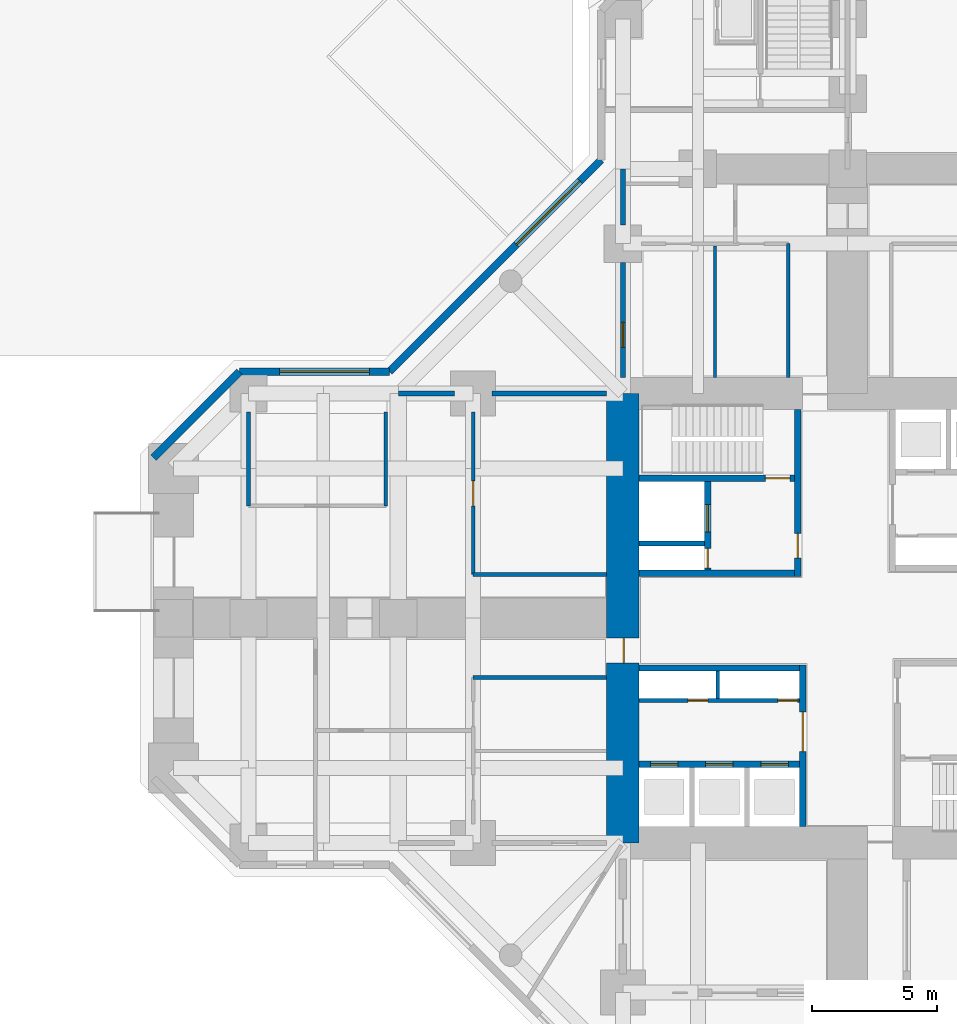
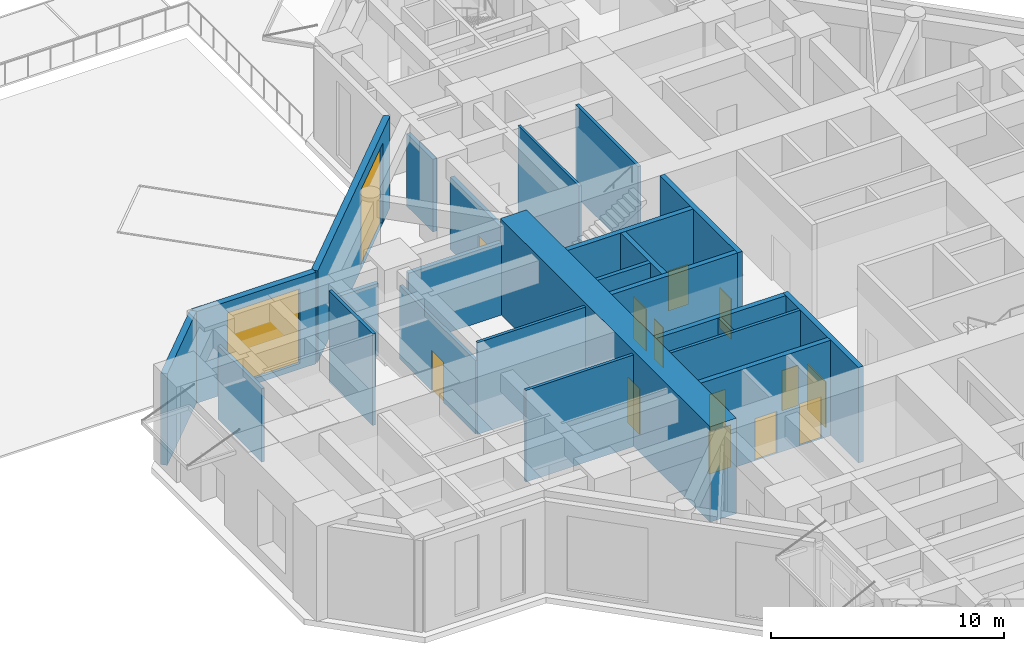
# One storey, part 6 of 14: 25 walls, 14 doors, 1 window, 15 openings.
"""IFC4 building model written with IfcOpenShell, lengths in metres."""

from ifc_helpers import new_model, si_unit, direction, frame, frame_2d, origin, place, context, subcontext, project, spatial, rectangle, hollow_rectangle, extrude, material, layer, layer_set, constituent, constituent_set, type_object, element, fill, save


model = new_model("IFC4")

# Units and contexts
model_context = context("Model", 3, precision=1e-05, world=origin(), true_north=direction((0.0, 1.0)))
body_context = subcontext(model_context, "Body", "Model", "MODEL_VIEW")
ifc_project = project(units=[si_unit("LENGTHUNIT", "METRE"), si_unit("AREAUNIT", "SQUARE_METRE"), si_unit("VOLUMEUNIT", "CUBIC_METRE"), si_unit("PLANEANGLEUNIT", "RADIAN"), si_unit("MASSUNIT", "GRAM", prefix="KILO")], contexts=[model_context])

# Site, building, storey
site_placement = place(None, origin())
site = spatial("IfcSite", under=ifc_project, at=site_placement, CompositionType="ELEMENT")
building_placement = place(site_placement, origin())
building = spatial("IfcBuilding", under=site, at=building_placement, Name="Torre Cruceta", CompositionType="ELEMENT")
storey_placement = place(building_placement, origin())
storey = spatial("IfcBuildingStorey", under=building, at=storey_placement, Name="L00", CompositionType="ELEMENT", Elevation=0.0)

# Wall, opening, door
ifc_material_1 = material(Name="Concrete G60 (fck 60 MPa)", Category="concrete")
ifc_layer_1 = layer(ifc_material_1, 0.25)
ifc_layer_set_1 = layer_set([ifc_layer_1], Name="Concrete G60 (fck 60 MPa)")
wall_type_1 = type_object("IfcWallType", Name="CORE INNER WALL 250 G60", PredefinedType="SHEAR", material=ifc_layer_set_1)
wall_1_placement = place(storey_placement, frame((-2.0, 1.675048828125, 0.0), z_axis=(0.0, 0.0, 1.0), x_axis=(0.0, 1.0, 0.0)))
wall_1 = element("IfcWall", 1, at=wall_1_placement, inside=storey, type_object=wall_type_1, Name="CW4 L00 NW-CU", PredefinedType="SHEAR", context=body_context, shape_type="SweptSolid", body=[
    extrude(rectangle(XDim=6.675048828125, YDim=0.25, at=frame_2d((3.33740234375, 0.0))), origin(), (0.0, 0.0, 1.0), 5.0),
])
opening_1_placement = place(wall_1_placement, frame((0.72509765625, 0.0, 0.0)))
opening_1 = element("IfcOpeningElement", 2, at=opening_1_placement, cuts=wall_1, Name="Opening D3", PredefinedType="OPENING", context=body_context, shape_type="SweptSolid", body=[
    extrude(rectangle(XDim=1.0, YDim=2.10009765625, at=frame_2d((0.5, 1.050048828125))), frame((0.0, 0.135009765625, 0.0), z_axis=(0.0, -1.0, 0.0), x_axis=(1.0, 0.0, 0.0)), (0.0, 0.0, 1.0), 0.27001953125),
])
ifc_material_2 = material(Name="Steel DX51D", Category="steel")
ifc_constituent_1 = constituent(ifc_material_2, Name="Leaf and frame")
ifc_material_3 = material(Name="Polyester powder coating", Category="paint")
ifc_constituent_2 = constituent(ifc_material_3, Name="Finish")
ifc_constituent_set_1 = constituent_set(constituents=[ifc_constituent_1, ifc_constituent_2], Name="Steel fire door")
door_type_1 = type_object("IfcDoorType", Name="FIRE DOOR 1000X2100", OperationType="SINGLE_SWING_LEFT", PredefinedType="DOOR", material=ifc_constituent_set_1)
door_1_placement = place(opening_1_placement, origin())
door_1 = element("IfcDoor", 3, at=door_1_placement, inside=storey, type_object=door_type_1, Name="D3 L00 NW-LOBBY", OperationType="SINGLE_SWING_LEFT", OverallHeight=2.10009765625, OverallWidth=1.0, PredefinedType="DOOR", context=body_context, shape_type="SweptSolid", body=[
    extrude(rectangle(XDim=1.0, YDim=2.10009765625, at=frame_2d((0.5, 1.050048828125))), frame((0.0, 0.02490234375, 0.0), z_axis=(0.0, -1.0, 0.0), x_axis=(1.0, 0.0, 0.0)), (0.0, 0.0, 1.0), 0.050048828125),
])
fill(opening_1, door_1)

# Wall
wall_2_placement = place(storey_placement, frame((-2.125, 1.800048828125, 0.0), z_axis=(0.0, 0.0, 1.0), x_axis=(-1.0, 0.0, 0.0)))
element("IfcWall", 4, at=wall_2_placement, inside=storey, type_object=wall_type_1, Name="CW4 L00 NW-CV", PredefinedType="SHEAR", context=body_context, shape_type="SweptSolid", body=[
    extrude(rectangle(XDim=6.22509765625, YDim=0.25, at=frame_2d((3.112548828125, 0.0))), origin(), (0.0, 0.0, 1.0), 5.0),
])

# Wall, opening, door
wall_3_placement = place(storey_placement, frame((-2.125, 5.60009765625, 0.0), z_axis=(0.0, 0.0, 1.0), x_axis=(-1.0, 0.0, 0.0)))
wall_3 = element("IfcWall", 5, at=wall_3_placement, inside=storey, type_object=wall_type_1, Name="CW4 L00 NW-SV", PredefinedType="SHEAR", context=body_context, shape_type="SweptSolid", body=[
    extrude(rectangle(XDim=6.22509765625, YDim=0.25, at=frame_2d((3.112548828125, 0.0))), origin(), (0.0, 0.0, 1.0), 5.0),
])
opening_2_placement = place(wall_3_placement, frame((0.175048828125, 0.0, 0.0)))
opening_2 = element("IfcOpeningElement", 6, at=opening_2_placement, cuts=wall_3, Name="Opening D3", PredefinedType="OPENING", context=body_context, shape_type="SweptSolid", body=[
    extrude(rectangle(XDim=1.0, YDim=2.10009765625, at=frame_2d((0.5, 1.050048828125))), frame((0.0, 0.135009765625, 0.0), z_axis=(0.0, -1.0, 0.0), x_axis=(1.0, 0.0, 0.0)), (0.0, 0.0, 1.0), 0.27001953125),
])
door_2_placement = place(opening_2_placement, frame((1.0, 0.0, 0.0), z_axis=(0.0, 0.0, 1.0), x_axis=(-1.0, 0.0, 0.0)))
door_2 = element("IfcDoor", 7, at=door_2_placement, inside=storey, type_object=door_type_1, Name="D3 L00 NW-STAIR", OperationType="SINGLE_SWING_RIGHT", OverallHeight=2.10009765625, OverallWidth=1.0, PredefinedType="DOOR", context=body_context, shape_type="SweptSolid", body=[
    extrude(rectangle(XDim=1.0, YDim=2.10009765625, at=frame_2d((0.5, 1.050048828125))), frame((0.0, 0.025146484375, 0.0), z_axis=(0.0, -1.0, 0.0), x_axis=(1.0, 0.0, 0.0)), (0.0, 0.0, 1.0), 0.050048828125),
])
fill(opening_2, door_2)

# Wall, openings, doors
wall_4_placement = place(storey_placement, frame((-5.60009765625, 1.925048828125, 0.0), z_axis=(0.0, 0.0, 1.0), x_axis=(0.0, 1.0, 0.0)))
wall_4 = element("IfcWall", 8, at=wall_4_placement, inside=storey, type_object=wall_type_1, Name="CW4 L00 NW-FU", PredefinedType="SHEAR", context=body_context, shape_type="SweptSolid", body=[
    extrude(rectangle(XDim=3.550048828125, YDim=0.25, at=frame_2d((1.77490234375, 0.0))), origin(), (0.0, 0.0, 1.0), 5.0),
])
opening_3_placement = place(wall_4_placement, frame((1.52490234375, 0.0, 0.0)))
opening_3 = element("IfcOpeningElement", 9, at=opening_3_placement, cuts=wall_4, Name="Opening LD1", PredefinedType="OPENING", context=body_context, shape_type="SweptSolid", body=[
    extrude(rectangle(XDim=1.10009765625, YDim=2.199951171875, at=frame_2d((0.550048828125, 1.10009765625))), frame((0.0, 0.135009765625, 0.0), z_axis=(0.0, -1.0, 0.0), x_axis=(1.0, 0.0, 0.0)), (0.0, 0.0, 1.0), 0.27001953125),
])
opening_4_placement = place(wall_4_placement, frame((0.074951171875, 0.0, 0.0)))
opening_4 = element("IfcOpeningElement", 10, at=opening_4_placement, cuts=wall_4, Name="Opening D5", PredefinedType="OPENING", context=body_context, shape_type="SweptSolid", body=[
    extrude(rectangle(XDim=0.800048828125, YDim=2.10009765625, at=frame_2d((0.39990234375, 1.050048828125))), frame((0.0, 0.135009765625, 0.0), z_axis=(0.0, -1.0, 0.0), x_axis=(1.0, 0.0, 0.0)), (0.0, 0.0, 1.0), 0.27001953125),
])
ifc_material_4 = material(Name="Stainless steel 1.4401", Category="steel")
door_type_2 = type_object("IfcDoorType", Name="LIFT LANDING DOOR 1100X2200", OperationType="DOUBLE_DOOR_SLIDING", PredefinedType="DOOR", material=ifc_material_4)
door_3_placement = place(opening_3_placement, origin())
door_3 = element("IfcDoor", 11, at=door_3_placement, inside=storey, type_object=door_type_2, Name="Lift landing door FL1", OperationType="DOUBLE_DOOR_SLIDING", OverallHeight=2.199951171875, OverallWidth=1.10009765625, PredefinedType="DOOR", context=body_context, shape_type="SweptSolid", body=[
    extrude(rectangle(XDim=1.10009765625, YDim=2.199951171875, at=frame_2d((0.550048828125, 1.10009765625))), frame((0.0, 0.02490234375, 0.0), z_axis=(0.0, -1.0, 0.0), x_axis=(1.0, 0.0, 0.0)), (0.0, 0.0, 1.0), 0.050048828125),
])
fill(opening_3, door_3)
ifc_material_5 = material(Name="Steel DX51D", Category="steel")
ifc_constituent_3 = constituent(ifc_material_5, Name="Leaf and frame")
ifc_material_6 = material(Name="Polyester powder coating", Category="paint")
ifc_constituent_4 = constituent(ifc_material_6, Name="Finish")
ifc_constituent_set_2 = constituent_set(constituents=[ifc_constituent_3, ifc_constituent_4], Name="Steel fire door")
door_type_3 = type_object("IfcDoorType", Name="RISER ACCESS DOOR 800X2100", OperationType="SINGLE_SWING_LEFT", PredefinedType="DOOR", material=ifc_constituent_set_2)
door_4_placement = place(opening_4_placement, origin())
door_4 = element("IfcDoor", 12, at=door_4_placement, inside=storey, type_object=door_type_3, Name="D5 L00 NW-RISER", OperationType="SINGLE_SWING_LEFT", OverallHeight=2.10009765625, OverallWidth=0.800048828125, PredefinedType="DOOR", context=body_context, shape_type="SweptSolid", body=[
    extrude(rectangle(XDim=0.800048828125, YDim=2.10009765625, at=frame_2d((0.39990234375, 1.050048828125))), frame((0.0, 0.02490234375, 0.0), z_axis=(0.0, -1.0, 0.0), x_axis=(1.0, 0.0, 0.0)), (0.0, 0.0, 1.0), 0.050048828125),
])
fill(opening_4, door_4)

# Wall, opening, door
wall_5_placement = place(storey_placement, frame((-1.800048828125, -1.875, 0.0), z_axis=(0.0, 0.0, 1.0), x_axis=(0.0, -1.0, 0.0)))
wall_5 = element("IfcWall", 13, at=wall_5_placement, inside=storey, type_object=wall_type_1, Name="CW4 L00 SW-CU", PredefinedType="SHEAR", context=body_context, shape_type="SweptSolid", body=[
    extrude(rectangle(XDim=6.47509765625, YDim=0.25, at=frame_2d((3.237548828125, 0.0))), origin(), (0.0, 0.0, 1.0), 5.0),
])
opening_5_placement = place(wall_5_placement, frame((1.875, 0.0, 0.0)))
opening_5 = element("IfcOpeningElement", 14, at=opening_5_placement, cuts=wall_5, Name="Opening D8", PredefinedType="OPENING", context=body_context, shape_type="SweptSolid", body=[
    extrude(rectangle(XDim=1.60009765625, YDim=2.39990234375, at=frame_2d((0.800048828125, 1.199951171875))), frame((0.0, 0.135009765625, 0.0), z_axis=(0.0, -1.0, 0.0), x_axis=(1.0, 0.0, 0.0)), (0.0, 0.0, 1.0), 0.27001953125),
])
ifc_material_7 = material(Name="Steel DX51D", Category="steel")
ifc_constituent_5 = constituent(ifc_material_7, Name="Leaf and frame")
ifc_material_8 = material(Name="Polyester powder coating", Category="paint")
ifc_constituent_6 = constituent(ifc_material_8, Name="Finish")
ifc_material_9 = material(Name="Fire-resisting glass", Category="glass")
ifc_constituent_7 = constituent(ifc_material_9, Name="Vision panel")
ifc_constituent_set_3 = constituent_set(constituents=[ifc_constituent_5, ifc_constituent_6, ifc_constituent_7], Name="Steel fire door with vision panels")
door_type_4 = type_object("IfcDoorType", Name="LIFT LOBBY DOUBLE DOOR 1600X2400", OperationType="DOUBLE_DOOR_DOUBLE_SWING", PredefinedType="DOOR", material=ifc_constituent_set_3)
door_5_placement = place(opening_5_placement, origin())
door_5 = element("IfcDoor", 15, at=door_5_placement, inside=storey, type_object=door_type_4, Name="D8 L00 SW-LOBBY", OperationType="DOUBLE_DOOR_DOUBLE_SWING", OverallHeight=2.39990234375, OverallWidth=1.60009765625, PredefinedType="DOOR", context=body_context, shape_type="SweptSolid", body=[
    extrude(rectangle(XDim=1.60009765625, YDim=2.39990234375, at=frame_2d((0.800048828125, 1.199951171875))), frame((0.0, 0.02490234375, 0.0), z_axis=(0.0, -1.0, 0.0), x_axis=(1.0, 0.0, 0.0)), (0.0, 0.0, 1.0), 0.050048828125),
])
fill(opening_5, door_5)

# Wall
wall_6_placement = place(storey_placement, frame((-1.925048828125, -2.0, 0.0), z_axis=(0.0, 0.0, 1.0), x_axis=(-1.0, 0.0, 0.0)))
element("IfcWall", 16, at=wall_6_placement, inside=storey, type_object=wall_type_1, Name="CW4 L00 SW-CV", PredefinedType="SHEAR", context=body_context, shape_type="SweptSolid", body=[
    extrude(rectangle(XDim=6.425048828125, YDim=0.25, at=frame_2d((3.21240234375, 0.0))), origin(), (0.0, 0.0, 1.0), 5.0),
])

# Wall, openings, doors
wall_7_placement = place(storey_placement, frame((-1.925048828125, -5.85009765625, 0.0), z_axis=(0.0, 0.0, 1.0), x_axis=(-1.0, 0.0, 0.0)))
wall_7 = element("IfcWall", 17, at=wall_7_placement, inside=storey, type_object=wall_type_1, Name="CW4 L00 SW-LV", PredefinedType="SHEAR", context=body_context, shape_type="SweptSolid", body=[
    extrude(rectangle(XDim=6.425048828125, YDim=0.25, at=frame_2d((3.21240234375, 0.0))), origin(), (0.0, 0.0, 1.0), 5.0),
])
opening_6_placement = place(wall_7_placement, frame((0.4541015625, 0.0, 0.0)))
opening_6 = element("IfcOpeningElement", 18, at=opening_6_placement, cuts=wall_7, Name="Opening LD1", PredefinedType="OPENING", context=body_context, shape_type="SweptSolid", body=[
    extrude(rectangle(XDim=1.10009765625, YDim=2.199951171875, at=frame_2d((0.550048828125, 1.10009765625))), frame((0.0, 0.135009765625, 0.0), z_axis=(0.0, -1.0, 0.0), x_axis=(1.0, 0.0, 0.0)), (0.0, 0.0, 1.0), 0.27001953125),
])
opening_7_placement = place(wall_7_placement, frame((2.66259765625, 0.0, 0.0)))
opening_7 = element("IfcOpeningElement", 19, at=opening_7_placement, cuts=wall_7, Name="Opening LD1", PredefinedType="OPENING", context=body_context, shape_type="SweptSolid", body=[
    extrude(rectangle(XDim=1.10009765625, YDim=2.199951171875, at=frame_2d((0.550048828125, 1.10009765625))), frame((0.0, 0.135009765625, 0.0), z_axis=(0.0, -1.0, 0.0), x_axis=(1.0, 0.0, 0.0)), (0.0, 0.0, 1.0), 0.27001953125),
])
opening_8_placement = place(wall_7_placement, frame((4.870849609375, 0.0, 0.0)))
opening_8 = element("IfcOpeningElement", 20, at=opening_8_placement, cuts=wall_7, Name="Opening LD1", PredefinedType="OPENING", context=body_context, shape_type="SweptSolid", body=[
    extrude(rectangle(XDim=1.10009765625, YDim=2.199951171875, at=frame_2d((0.550048828125, 1.10009765625))), frame((0.0, 0.135009765625, 0.0), z_axis=(0.0, -1.0, 0.0), x_axis=(1.0, 0.0, 0.0)), (0.0, 0.0, 1.0), 0.27001953125),
])
door_6_placement = place(opening_6_placement, origin())
door_6 = element("IfcDoor", 21, at=door_6_placement, inside=storey, type_object=door_type_2, Name="Lift landing door R1", OperationType="DOUBLE_DOOR_SLIDING", OverallHeight=2.199951171875, OverallWidth=1.10009765625, PredefinedType="DOOR", context=body_context, shape_type="SweptSolid", body=[
    extrude(rectangle(XDim=1.10009765625, YDim=2.199951171875, at=frame_2d((0.550048828125, 1.10009765625))), frame((0.0, 0.02490234375, 0.0), z_axis=(0.0, -1.0, 0.0), x_axis=(1.0, 0.0, 0.0)), (0.0, 0.0, 1.0), 0.050048828125),
])
fill(opening_6, door_6)
door_7_placement = place(opening_7_placement, origin())
door_7 = element("IfcDoor", 22, at=door_7_placement, inside=storey, type_object=door_type_2, Name="Lift landing door R2", OperationType="DOUBLE_DOOR_SLIDING", OverallHeight=2.199951171875, OverallWidth=1.10009765625, PredefinedType="DOOR", context=body_context, shape_type="SweptSolid", body=[
    extrude(rectangle(XDim=1.10009765625, YDim=2.199951171875, at=frame_2d((0.550048828125, 1.10009765625))), frame((0.0, 0.02490234375, 0.0), z_axis=(0.0, -1.0, 0.0), x_axis=(1.0, 0.0, 0.0)), (0.0, 0.0, 1.0), 0.050048828125),
])
fill(opening_7, door_7)
door_8_placement = place(opening_8_placement, origin())
door_8 = element("IfcDoor", 23, at=door_8_placement, inside=storey, type_object=door_type_2, Name="Lift landing door R3", OperationType="DOUBLE_DOOR_SLIDING", OverallHeight=2.199951171875, OverallWidth=1.10009765625, PredefinedType="DOOR", context=body_context, shape_type="SweptSolid", body=[
    extrude(rectangle(XDim=1.10009765625, YDim=2.199951171875, at=frame_2d((0.550048828125, 1.10009765625))), frame((0.0, 0.02490234375, 0.0), z_axis=(0.0, -1.0, 0.0), x_axis=(1.0, 0.0, 0.0)), (0.0, 0.0, 1.0), 0.050048828125),
])
fill(opening_8, door_8)

# Wall, opening, door
ifc_material_10 = material(Name="Concrete G60 (fck 60 MPa)", Category="concrete")
ifc_layer_2 = layer(ifc_material_10, 1.300048828125)
ifc_layer_set_2 = layer_set([ifc_layer_2], Name="Concrete G60 (fck 60 MPa)")
wall_type_2 = type_object("IfcWallType", Name="CORE WALL 1300 G60", PredefinedType="SHEAR", material=ifc_layer_set_2)
wall_8_placement = place(storey_placement, frame((-9.0, 9.0, 0.0), z_axis=(0.0, 0.0, 1.0), x_axis=(0.0, -1.0, 0.0)))
wall_8 = element("IfcWall", 24, at=wall_8_placement, inside=storey, type_object=wall_type_2, Name="CW1 L00 CW-W", PredefinedType="SHEAR", context=body_context, shape_type="SweptSolid", body=[
    extrude(rectangle(XDim=18.0, YDim=1.300048828125, at=frame_2d((9.0, 0.0))), origin(), (0.0, 0.0, 1.0), 5.0),
])
opening_9_placement = place(wall_8_placement, frame((9.800048828125, 0.0, 0.0)))
opening_9 = element("IfcOpeningElement", 25, at=opening_9_placement, cuts=wall_8, Name="Opening D4", PredefinedType="OPENING", context=body_context, shape_type="SweptSolid", body=[
    extrude(rectangle(XDim=1.0, YDim=2.39990234375, at=frame_2d((0.5, 1.199951171875))), frame((0.0, 0.659912109375, 0.0), z_axis=(0.0, -1.0, 0.0), x_axis=(1.0, 0.0, 0.0)), (0.0, 0.0, 1.0), 1.320068359375),
])
ifc_material_11 = material(Name="Steel DX51D", Category="steel")
ifc_constituent_8 = constituent(ifc_material_11, Name="Leaf and frame")
ifc_material_12 = material(Name="Polyester powder coating", Category="paint")
ifc_constituent_9 = constituent(ifc_material_12, Name="Finish")
ifc_constituent_set_4 = constituent_set(constituents=[ifc_constituent_8, ifc_constituent_9], Name="Steel fire door")
door_type_5 = type_object("IfcDoorType", Name="CORE ARM DOOR 1000X2400", OperationType="SINGLE_SWING_RIGHT", PredefinedType="DOOR", material=ifc_constituent_set_4)
door_9_placement = place(opening_9_placement, origin())
door_9 = element("IfcDoor", 26, at=door_9_placement, inside=storey, type_object=door_type_5, Name="D4 L00 CW-W", OperationType="SINGLE_SWING_RIGHT", OverallHeight=2.39990234375, OverallWidth=1.0, PredefinedType="DOOR", context=body_context, shape_type="SweptSolid", body=[
    extrude(rectangle(XDim=1.0, YDim=2.39990234375, at=frame_2d((0.5, 1.199951171875))), frame((0.0, 0.05517578125, 0.0), z_axis=(0.0, -1.0, 0.0), x_axis=(1.0, 0.0, 0.0)), (0.0, 0.0, 1.0), 0.050048828125),
])
fill(opening_9, door_9)

ifc_material_13 = material(Name="Concrete G30 (fck 30 MPa)", Category="concrete")
ifc_layer_3 = layer(ifc_material_13, 0.300048828125)
ifc_layer_set_3 = layer_set([ifc_layer_3], Name="Concrete G30 (fck 30 MPa)")
wall_type_3 = type_object("IfcWallType", Name="EXPOSED CONCRETE FACADE WALL 300", PredefinedType="SOLIDWALL", material=ifc_layer_set_3)
wall_9_placement = place(storey_placement, frame((-9.8701171875, 18.3603515625, 0.0), z_axis=(0.0, 0.0, 1.0), x_axis=(-0.707106781187, -0.707106781187, 0.0)))
wall_9 = element("IfcWall", 27, at=wall_9_placement, inside=storey, type_object=wall_type_3, Name="EW1 facade wall L00 N wing 11", PredefinedType="SOLIDWALL", context=body_context, shape_type="SweptSolid", body=[
    extrude(rectangle(XDim=12.007080078125, YDim=0.300048828125, at=frame_2d((6.00341796875, 0.0))), origin(), (0.0, 0.0, 1.0), 4.800048828125),
])
opening_10_placement = place(wall_9_placement, frame((1.20361328125, 0.0, 0.0)))
opening_10 = element("IfcOpeningElement", 28, at=opening_10_placement, cuts=wall_9, Name="Opening D12", PredefinedType="OPENING", context=body_context, shape_type="SweptSolid", body=[
    extrude(rectangle(XDim=3.60009765625, YDim=4.199951171875, at=frame_2d((1.800048828125, 2.10009765625))), frame((0.0, 0.159912109375, 0.0), z_axis=(0.0, -1.0, 0.0), x_axis=(1.0, 0.0, 0.0)), (0.0, 0.0, 1.0), 0.320068359375),
])
ifc_material_14 = material(Name="Steel DX51D", Category="steel")
ifc_constituent_10 = constituent(ifc_material_14, Name="Slats and guides")
ifc_material_15 = material(Name="Hot-dip galvanising", Category="zinc")
ifc_constituent_11 = constituent(ifc_material_15, Name="Coating")
ifc_constituent_set_5 = constituent_set(constituents=[ifc_constituent_10, ifc_constituent_11], Name="Steel roller shutter")
door_type_6 = type_object("IfcDoorType", Name="LOADING BAY ROLLER SHUTTER 3600X4200", OperationType="USERDEFINED", PredefinedType="DOOR", material=ifc_constituent_set_5)
door_10_placement = place(opening_10_placement, origin())
door_10 = element("IfcDoor", 29, at=door_10_placement, inside=storey, type_object=door_type_6, Name="D12 loading bay roller shutter L00 N", OperationType="USERDEFINED", OverallHeight=4.199951171875, OverallWidth=3.60009765625, PredefinedType="DOOR", context=body_context, shape_type="SweptSolid", body=[
    extrude(rectangle(XDim=3.60009765625, YDim=4.199951171875, at=frame_2d((1.800048828125, 2.10009765625))), frame((0.0, 0.02490234375, 0.0), z_axis=(0.0, -1.0, 0.0), x_axis=(1.0, 0.0, 0.0)), (0.0, 0.0, 1.0), 0.050048828125),
])
fill(opening_10, door_10)

# Wall, opening, window
wall_10_placement = place(storey_placement, frame((-18.3603515625, 9.8701171875, 0.0), z_axis=(0.0, 0.0, 1.0), x_axis=(-1.0, 0.0, 0.0)))
wall_10 = element("IfcWall", 30, at=wall_10_placement, inside=storey, type_object=wall_type_3, Name="EW1 facade wall L00 W side 12", PredefinedType="SOLIDWALL", context=body_context, shape_type="SweptSolid", body=[
    extrude(rectangle(XDim=6.0, YDim=0.300048828125, at=frame_2d((3.0, 0.0))), origin(), (0.0, 0.0, 1.0), 4.800048828125),
])
opening_11_placement = place(wall_10_placement, frame((0.794921875, 0.0, 0.300048828125)))
opening_11 = element("IfcOpeningElement", 31, at=opening_11_placement, cuts=wall_10, Name="Opening SF1", PredefinedType="OPENING", context=body_context, shape_type="SweptSolid", body=[
    extrude(rectangle(XDim=3.60009765625, YDim=3.89990234375, at=frame_2d((1.800048828125, 1.949951171875))), frame((0.0, 0.159912109375, 0.0), z_axis=(0.0, -1.0, 0.0), x_axis=(1.0, 0.0, 0.0)), (0.0, 0.0, 1.0), 0.320068359375),
])
ifc_material_16 = material(Name="Aluminium window frame", Category="aluminium")
ifc_constituent_12 = constituent(ifc_material_16, Name="Frame")
ifc_material_17 = material(Name="Laminated insulating glass unit, low-iron clear", Category="glass")
ifc_constituent_13 = constituent(ifc_material_17, Name="Glazing")
ifc_constituent_set_6 = constituent_set(constituents=[ifc_constituent_12, ifc_constituent_13], Name="Aluminium window")
window_type = type_object("IfcWindowType", Name="SHOPFRONT WINDOW 3600X3900", PartitioningType="SINGLE_PANEL", PredefinedType="WINDOW", material=ifc_constituent_set_6)
window_placement = place(opening_11_placement, origin())
window = element("IfcWindow", 32, at=window_placement, inside=storey, type_object=window_type, Name="SF1 L00 W 1", OverallHeight=3.89990234375, OverallWidth=3.60009765625, PartitioningType="SINGLE_PANEL", PredefinedType="WINDOW", context=body_context, shape_type="SweptSolid", body=[
    extrude(hollow_rectangle(XDim=3.60009765625, YDim=3.89990234375, WallThickness=0.06005859375, at=frame_2d((1.800048828125, 1.949951171875))), frame((0.0, 0.030029296875, 0.0), z_axis=(0.0, -1.0, 0.0), x_axis=(1.0, 0.0, 0.0)), (0.0, 0.0, 1.0), 0.06005859375),
    extrude(rectangle(XDim=3.47900390625, YDim=3.77880859375, at=frame_2d((1.800048828125, 1.949951171875))), frame((0.0, 0.030029296875, 0.0), z_axis=(0.0, -1.0, 0.0), x_axis=(1.0, 0.0, 0.0)), (0.0, 0.0, 1.0), 0.06005859375),
])
fill(opening_11, window)

# Walls
wall_11_placement = place(storey_placement, frame((-24.3603515625, 9.8701171875, 0.0), z_axis=(0.0, 0.0, 1.0), x_axis=(-0.707106781187, -0.707106781187, 0.0)))
element("IfcWall", 33, at=wall_11_placement, inside=storey, type_object=wall_type_3, Name="EW1 facade wall L00 W chamfer 13", PredefinedType="SOLIDWALL", context=body_context, shape_type="SweptSolid", body=[
    extrude(rectangle(XDim=4.864501953125, YDim=0.300048828125, at=frame_2d((2.43212890625, 0.0))), origin(), (0.0, 0.0, 1.0), 4.800048828125),
])
ifc_material_18 = material(Name="Concrete G35 (fck 35 MPa)", Category="concrete")
ifc_layer_4 = layer(ifc_material_18, 0.199951171875)
ifc_layer_set_4 = layer_set([ifc_layer_4], Name="Concrete G35 (fck 35 MPa)")
wall_type_4 = type_object("IfcWallType", Name="LIFT SHAFT WALL 200", PredefinedType="PARTITIONING", material=ifc_layer_set_4)
wall_12_placement = place(storey_placement, frame((-5.72509765625, 3.0, 0.0), z_axis=(0.0, 0.0, 1.0), x_axis=(-1.0, 0.0, 0.0)))
element("IfcWall", 34, at=wall_12_placement, inside=storey, type_object=wall_type_4, Name="SW1 L00 NW-FR", PredefinedType="PARTITIONING", context=body_context, shape_type="SweptSolid", body=[
    extrude(rectangle(XDim=2.625, YDim=0.199951171875, at=frame_2d((1.3125, 0.0))), origin(), (0.0, 0.0, 1.0), 5.0),
])
ifc_material_19 = material(Name="Plasterboard on steel studs", Category="steel")
ifc_layer_5 = layer(ifc_material_19, 0.14990234375)
ifc_layer_set_5 = layer_set([ifc_layer_5], Name="Plasterboard on steel studs")
wall_type_5 = type_object("IfcWallType", Name="PARTITION 150", PredefinedType="PARTITIONING", material=ifc_layer_set_5)
wall_13_placement = place(storey_placement, frame((-2.375, 9.64990234375, 0.0), z_axis=(0.0, 0.0, 1.0), x_axis=(0.0, 1.0, 0.0)))
element("IfcWall", 35, at=wall_13_placement, inside=storey, type_object=wall_type_5, Name="PT1 L00-N-BSL", PredefinedType="PARTITIONING", context=body_context, shape_type="SweptSolid", body=[
    extrude(rectangle(XDim=5.35009765625, YDim=0.14990234375, at=frame_2d((2.675048828125, 0.0))), origin(), (0.0, 0.0, 1.0), 4.800048828125),
])

# Wall, opening, door
wall_14_placement = place(storey_placement, frame((-15.0, 8.25, 0.0), z_axis=(0.0, 0.0, 1.0), x_axis=(0.0, -1.0, 0.0)))
wall_14 = element("IfcWall", 36, at=wall_14_placement, inside=storey, type_object=wall_type_5, Name="PT1 L00-W-BFR", PredefinedType="PARTITIONING", context=body_context, shape_type="SweptSolid", body=[
    extrude(rectangle(XDim=6.5, YDim=0.14990234375, at=frame_2d((3.25, 0.0))), origin(), (0.0, 0.0, 1.0), 3.85009765625),
])
opening_12_placement = place(wall_14_placement, frame((2.75, 0.0, 0.0)))
opening_12 = element("IfcOpeningElement", 37, at=opening_12_placement, cuts=wall_14, Name="Opening D3", PredefinedType="OPENING", context=body_context, shape_type="SweptSolid", body=[
    extrude(rectangle(XDim=1.0, YDim=2.10009765625, at=frame_2d((0.5, 1.050048828125))), frame((0.0, 0.0849609375, 0.0), z_axis=(0.0, -1.0, 0.0), x_axis=(1.0, 0.0, 0.0)), (0.0, 0.0, 1.0), 0.169921875),
])
door_11_placement = place(opening_12_placement, origin())
door_11 = element("IfcDoor", 38, at=door_11_placement, inside=storey, type_object=door_type_1, Name="D3 L00-W-BFR-D1", OperationType="SINGLE_SWING_RIGHT", OverallHeight=2.10009765625, OverallWidth=1.0, PredefinedType="DOOR", context=body_context, shape_type="SweptSolid", body=[
    extrude(rectangle(XDim=1.0, YDim=2.10009765625, at=frame_2d((0.5, 1.050048828125))), frame((0.0, 0.02490234375, 0.0), z_axis=(0.0, -1.0, 0.0), x_axis=(1.0, 0.0, 0.0)), (0.0, 0.0, 1.0), 0.050048828125),
])
fill(opening_12, door_11)

# Walls
for number, where, z_axis, x_axis, name in (
    (39, (-9.64990234375, 1.75, 0.0), (0.0, 0.0, 1.0), (-1.0, 0.0, 0.0), "PT1 L00-W-BSR"),
    (40, (-9.64990234375, -2.375, 0.0), (0.0, 0.0, 1.0), (-1.0, 0.0, 0.0), "PT1 L00-W-BSL"),
):
    element("IfcWall", number, at=place(storey_placement, frame(where, z_axis=z_axis, x_axis=x_axis)), inside=storey, type_object=wall_type_5, Name=name, PredefinedType="PARTITIONING", context=body_context, shape_type="SweptSolid", body=[
        extrude(rectangle(XDim=5.35009765625, YDim=0.14990234375, at=frame_2d((2.675048828125, 0.0))), origin(), (0.0, 0.0, 1.0), 4.800048828125),
    ])
wall_15_placement = place(storey_placement, frame((-18.5, 8.25, 0.0), z_axis=(0.0, 0.0, 1.0), x_axis=(0.0, -1.0, 0.0)))
element("IfcWall", 41, at=wall_15_placement, inside=storey, type_object=wall_type_5, Name="PT1 L00-W-COWA", PredefinedType="PARTITIONING", context=body_context, shape_type="SweptSolid", body=[
    extrude(rectangle(XDim=3.75, YDim=0.14990234375, at=frame_2d((1.875, 0.0))), origin(), (0.0, 0.0, 1.0), 4.800048828125),
])
wall_16_placement = place(storey_placement, frame((-24.0, 8.25, 0.0), z_axis=(0.0, 0.0, 1.0), x_axis=(0.0, -1.0, 0.0)))
element("IfcWall", 42, at=wall_16_placement, inside=storey, type_object=wall_type_5, Name="PT1 L00-W-COWB", PredefinedType="PARTITIONING", context=body_context, shape_type="SweptSolid", body=[
    extrude(rectangle(XDim=3.75, YDim=0.14990234375, at=frame_2d((1.875, 0.0))), origin(), (0.0, 0.0, 1.0), 3.85009765625),
])

# Wall, openings, doors
ifc_material_20 = material(Name="Concrete block masonry", Category="masonry")
ifc_layer_6 = layer(ifc_material_20, 0.14990234375)
ifc_layer_set_6 = layer_set([ifc_layer_6], Name="Concrete block masonry")
wall_type_6 = type_object("IfcWallType", Name="RISER WALL 150", PredefinedType="PARTITIONING", material=ifc_layer_set_6)
wall_17_placement = place(storey_placement, frame((-1.925048828125, -3.300048828125, 0.0), z_axis=(0.0, 0.0, 1.0), x_axis=(-1.0, 0.0, 0.0)))
wall_17 = element("IfcWall", 43, at=wall_17_placement, inside=storey, type_object=wall_type_6, Name="SW7 L00 SW-RV", PredefinedType="PARTITIONING", context=body_context, shape_type="SweptSolid", body=[
    extrude(rectangle(XDim=6.425048828125, YDim=0.14990234375, at=frame_2d((3.21240234375, 0.0))), origin(), (0.0, 0.0, 1.0), 5.0),
])
opening_13_placement = place(wall_17_placement, frame((0.074951171875, 0.0, 0.0)))
opening_13 = element("IfcOpeningElement", 44, at=opening_13_placement, cuts=wall_17, Name="Opening D5", PredefinedType="OPENING", context=body_context, shape_type="SweptSolid", body=[
    extrude(rectangle(XDim=0.800048828125, YDim=2.10009765625, at=frame_2d((0.39990234375, 1.050048828125))), frame((0.0, 0.0849609375, 0.0), z_axis=(0.0, -1.0, 0.0), x_axis=(1.0, 0.0, 0.0)), (0.0, 0.0, 1.0), 0.169921875),
])
opening_14_placement = place(wall_17_placement, frame((3.675048828125, 0.0, 0.0)))
opening_14 = element("IfcOpeningElement", 45, at=opening_14_placement, cuts=wall_17, Name="Opening D5", PredefinedType="OPENING", context=body_context, shape_type="SweptSolid", body=[
    extrude(rectangle(XDim=0.800048828125, YDim=2.10009765625, at=frame_2d((0.39990234375, 1.050048828125))), frame((0.0, 0.0849609375, 0.0), z_axis=(0.0, -1.0, 0.0), x_axis=(1.0, 0.0, 0.0)), (0.0, 0.0, 1.0), 0.169921875),
])
door_12_placement = place(opening_13_placement, frame((0.800048828125, 0.0, 0.0), z_axis=(0.0, 0.0, 1.0), x_axis=(-1.0, 0.0, 0.0)))
door_12 = element("IfcDoor", 46, at=door_12_placement, inside=storey, type_object=door_type_3, Name="D5 L00 SW-RISER1", OperationType="SINGLE_SWING_RIGHT", OverallHeight=2.10009765625, OverallWidth=0.800048828125, PredefinedType="DOOR", context=body_context, shape_type="SweptSolid", body=[
    extrude(rectangle(XDim=0.800048828125, YDim=2.10009765625, at=frame_2d((0.400146484375, 1.050048828125))), frame((0.0, 0.025146484375, 0.0), z_axis=(0.0, -1.0, 0.0), x_axis=(1.0, 0.0, 0.0)), (0.0, 0.0, 1.0), 0.050048828125),
])
fill(opening_13, door_12)
door_13_placement = place(opening_14_placement, frame((0.800048828125, 0.0, 0.0), z_axis=(0.0, 0.0, 1.0), x_axis=(-1.0, 0.0, 0.0)))
door_13 = element("IfcDoor", 47, at=door_13_placement, inside=storey, type_object=door_type_3, Name="D5 L00 SW-RISER2", OperationType="SINGLE_SWING_RIGHT", OverallHeight=2.10009765625, OverallWidth=0.800048828125, PredefinedType="DOOR", context=body_context, shape_type="SweptSolid", body=[
    extrude(rectangle(XDim=0.800048828125, YDim=2.10009765625, at=frame_2d((0.400146484375, 1.050048828125))), frame((0.0, 0.025146484375, 0.0), z_axis=(0.0, -1.0, 0.0), x_axis=(1.0, 0.0, 0.0)), (0.0, 0.0, 1.0), 0.050048828125),
])
fill(opening_14, door_13)

# Walls
wall_18_placement = place(storey_placement, frame((-5.199951171875, -2.125, 0.0), z_axis=(0.0, 0.0, 1.0), x_axis=(0.0, -1.0, 0.0)))
element("IfcWall", 48, at=wall_18_placement, inside=storey, type_object=wall_type_6, Name="SW7 L00 SW-RU", PredefinedType="PARTITIONING", context=body_context, shape_type="SweptSolid", body=[
    extrude(rectangle(XDim=1.10009765625, YDim=0.14990234375, at=frame_2d((0.550048828125, 0.0))), origin(), (0.0, 0.0, 1.0), 5.0),
])
ifc_material_21 = material(Name="Plasterboard on steel studs", Category="steel")
ifc_layer_7 = layer(ifc_material_21, 0.1201171875)
ifc_layer_set_7 = layer_set([ifc_layer_7], Name="Plasterboard on steel studs")
wall_type_7 = type_object("IfcWallType", Name="WC PARTITION 120", PredefinedType="PLUMBINGWALL", material=ifc_layer_set_7)
wall_19_placement = place(storey_placement, frame((-5.3125, 9.64990234375, 0.0), z_axis=(0.0, 0.0, 1.0), x_axis=(0.0, 1.0, 0.0)))
element("IfcWall", 49, at=wall_19_placement, inside=storey, type_object=wall_type_7, Name="PT5 L00-N-BDL1", PredefinedType="PLUMBINGWALL", context=body_context, shape_type="SweptSolid", body=[
    extrude(rectangle(XDim=5.25, YDim=0.1201171875, at=frame_2d((2.625, 0.0))), origin(), (0.0, 0.0, 1.0), 4.800048828125),
])

# Wall, opening, door
ifc_material_22 = material(Name="Concrete G25 (fck 25 MPa)", Category="concrete")
ifc_layer_8 = layer(ifc_material_22, 0.199951171875)
ifc_layer_set_8 = layer_set([ifc_layer_8], Name="Concrete G25 (fck 25 MPa)")
wall_type_8 = type_object("IfcWallType", Name="WING SEPARATING WALL 200", PredefinedType="SOLIDWALL", material=ifc_layer_set_8)
wall_20_placement = place(storey_placement, frame((-9.0, 9.64990234375, 0.0), z_axis=(0.0, 0.0, 1.0), x_axis=(0.0, 1.0, 0.0)))
wall_20 = element("IfcWall", 50, at=wall_20_placement, inside=storey, type_object=wall_type_8, Name="PT6 L00-WING-N-A1", PredefinedType="SOLIDWALL", context=body_context, shape_type="SweptSolid", body=[
    extrude(rectangle(XDim=4.60009765625, YDim=0.199951171875, at=frame_2d((2.300048828125, 0.0))), origin(), (0.0, 0.0, 1.0), 3.800048828125),
])
opening_15_placement = place(wall_20_placement, frame((1.199951171875, 0.0, 0.0)))
opening_15 = element("IfcOpeningElement", 51, at=opening_15_placement, cuts=wall_20, Name="Opening D14", PredefinedType="OPENING", context=body_context, shape_type="SweptSolid", body=[
    extrude(rectangle(XDim=1.0, YDim=2.199951171875, at=frame_2d((0.5, 1.10009765625))), frame((0.0, 0.10986328125, 0.0), z_axis=(0.0, -1.0, 0.0), x_axis=(1.0, 0.0, 0.0)), (0.0, 0.0, 1.0), 0.219970703125),
])
ifc_material_23 = material(Name="Steel DX51D", Category="steel")
ifc_constituent_14 = constituent(ifc_material_23, Name="Leaf and frame")
ifc_material_24 = material(Name="Polyester powder coating", Category="paint")
ifc_constituent_15 = constituent(ifc_material_24, Name="Finish")
ifc_material_25 = material(Name="Fire-resisting glass", Category="glass")
ifc_constituent_16 = constituent(ifc_material_25, Name="Vision panel")
ifc_constituent_set_7 = constituent_set(constituents=[ifc_constituent_14, ifc_constituent_15, ifc_constituent_16], Name="Steel fire door with vision panel")
door_type_7 = type_object("IfcDoorType", Name="FIRE DOOR VISION PANEL 1000X2200", OperationType="SINGLE_SWING_RIGHT", PredefinedType="DOOR", material=ifc_constituent_set_7)
door_14_placement = place(opening_15_placement, frame((1.0, 0.0, 0.0), z_axis=(0.0, 0.0, 1.0), x_axis=(-1.0, 0.0, 0.0)))
door_14 = element("IfcDoor", 52, at=door_14_placement, inside=storey, type_object=door_type_7, Name="D14 L00-WING-N-A1-D1", OperationType="SINGLE_SWING_RIGHT", OverallHeight=2.199951171875, OverallWidth=1.0, PredefinedType="DOOR", context=body_context, shape_type="SweptSolid", body=[
    extrude(rectangle(XDim=1.0, YDim=2.199951171875, at=frame_2d((0.5, 1.10009765625))), frame((0.0, 0.025146484375, 0.0), z_axis=(0.0, -1.0, 0.0), x_axis=(1.0, 0.0, 0.0)), (0.0, 0.0, 1.0), 0.050048828125),
])
fill(opening_15, door_14)

# Walls
wall_21_placement = place(storey_placement, frame((-9.0, 15.75, 0.0), z_axis=(0.0, 0.0, 1.0), x_axis=(0.0, 1.0, 0.0)))
element("IfcWall", 53, at=wall_21_placement, inside=storey, type_object=wall_type_8, Name="PT6 L00-WING-N-A2", PredefinedType="SOLIDWALL", context=body_context, shape_type="SweptSolid", body=[
    extrude(rectangle(XDim=2.25, YDim=0.199951171875, at=frame_2d((1.125, 0.0))), origin(), (0.0, 0.0, 1.0), 3.800048828125),
])
wall_22_placement = place(storey_placement, frame((-14.25, 9.0, 0.0), z_axis=(0.0, 0.0, 1.0), x_axis=(1.0, 0.0, 0.0)))
element("IfcWall", 54, at=wall_22_placement, inside=storey, type_object=wall_type_8, Name="PT6 L00-WING-N-B1", PredefinedType="SOLIDWALL", context=body_context, shape_type="SweptSolid", body=[
    extrude(rectangle(XDim=4.60009765625, YDim=0.199951171875, at=frame_2d((2.300048828125, 0.0))), origin(), (0.0, 0.0, 1.0), 3.800048828125),
])
wall_23_placement = place(storey_placement, frame((-18.0, 9.0, 0.0), z_axis=(0.0, 0.0, 1.0), x_axis=(1.0, 0.0, 0.0)))
element("IfcWall", 55, at=wall_23_placement, inside=storey, type_object=wall_type_8, Name="PT6 L00-WING-N-B2", PredefinedType="SOLIDWALL", context=body_context, shape_type="SweptSolid", body=[
    extrude(rectangle(XDim=2.25, YDim=0.199951171875, at=frame_2d((1.125, 0.0))), origin(), (0.0, 0.0, 1.0), 3.800048828125),
])

save(model, "model.ifc")
